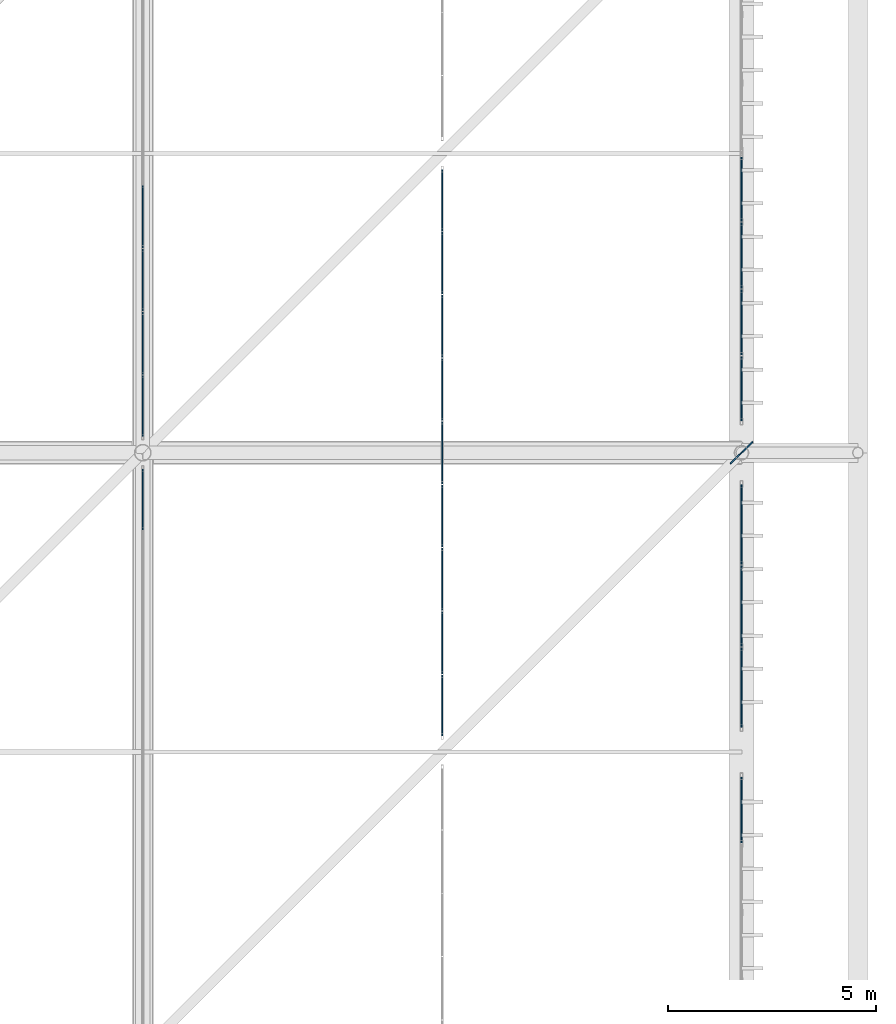
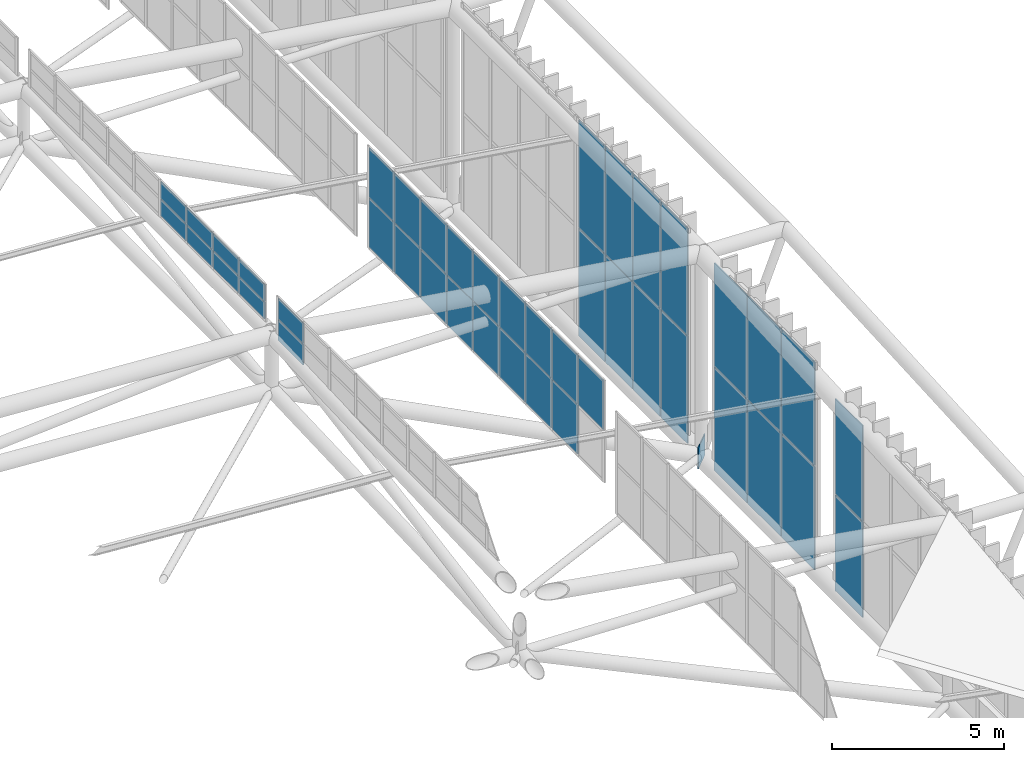
# One storey, part 370 of 397: 44 plates, 6 elements without a shape of their own.
"""IFC4 building model written with IfcOpenShell, lengths in metres."""

from ifc_helpers import new_model, si_unit, direction, frame, origin, origin_2d, place, context, subcontext, project, spatial, rectangle, extrude, material, layer, layer_set, type_object, element, aggregate, save


model = new_model("IFC4")

# Units and contexts
model_context = context("Model", 3, precision=1e-05, world=origin(), true_north=direction((0.0, 1.0)))
body_context = subcontext(model_context, "Body", "Model", "MODEL_VIEW")
ifc_project = project(units=[si_unit("LENGTHUNIT", "METRE"), si_unit("AREAUNIT", "SQUARE_METRE"), si_unit("VOLUMEUNIT", "CUBIC_METRE"), si_unit("PLANEANGLEUNIT", "RADIAN"), si_unit("MASSUNIT", "GRAM", prefix="KILO")], contexts=[model_context])

# Site, building, storey
site_placement = place(None, origin())
site = spatial("IfcSite", under=ifc_project, at=site_placement, CompositionType="ELEMENT")
building_placement = place(site_placement, origin())
building = spatial("IfcBuilding", under=site, at=building_placement, Name="Qandorah Velis Arena", CompositionType="ELEMENT")
storey_placement = place(building_placement, frame((0.0, 0.0, 27.5)))
storey = spatial("IfcBuildingStorey", under=building, at=storey_placement, Name="RF", CompositionType="ELEMENT", Elevation=27.5)

# Curtain wall, plates
ifc_material_1 = material(Name="Solar-control low-E double glazing", Category="glass")
curtain_wall_type_1 = type_object("IfcCurtainWallType", Name="ARC-CW-SYS15", PredefinedType="USERDEFINED", material=ifc_material_1)
curtain_wall_1_placement = place(storey_placement, origin())
curtain_wall_1 = element("IfcCurtainWall", 1, at=curtain_wall_1_placement, inside=storey, type_object=curtain_wall_type_1, Name="Unitised curtain wall MON-2-3", ObjectType="UNITISED CURTAIN WALL", PredefinedType="USERDEFINED")
ifc_layer_1 = layer(ifc_material_1, 0.030029296875)
ifc_layer_set_1 = layer_set([ifc_layer_1], Name="Solar-control low-E double glazing")
plate_type_1 = type_object("IfcPlateType", Name="ARC-CWP-GLZ30", PredefinedType="CURTAIN_PANEL", material=ifc_layer_set_1)
plate_1_placement = place(storey_placement, frame((108.0, 51.52490234375, 7.66259765625), z_axis=(0.0, 0.0, 1.0), x_axis=(0.0, 1.0, 0.0)))
plate_1 = element("IfcPlate", 2, at=plate_1_placement, type_object=plate_type_1, Name="CW15 panel 1.2", PredefinedType="CURTAIN_PANEL", context=body_context, shape_type="SweptSolid", body=[
    extrude(rectangle(XDim=1.459716796875, YDim=0.030029296875, at=origin_2d()), origin(), (0.0, 0.0, 1.0), 1.737548828125),
])
plate_2_placement = place(storey_placement, frame((108.0, 53.033447265625, 5.89013671875), z_axis=(0.0, 0.0, 1.0), x_axis=(0.0, 1.0, 0.0)))
plate_2 = element("IfcPlate", 3, at=plate_2_placement, type_object=plate_type_1, Name="CW15 panel 2.1", PredefinedType="CURTAIN_PANEL", context=body_context, shape_type="SweptSolid", body=[
    extrude(rectangle(XDim=1.4873046875, YDim=0.030029296875, at=origin_2d()), origin(), (0.0, 0.0, 1.0), 1.737548828125),
])
plate_3_placement = place(storey_placement, frame((108.0, 53.033447265625, 7.66259765625), z_axis=(0.0, 0.0, 1.0), x_axis=(0.0, 1.0, 0.0)))
plate_3 = element("IfcPlate", 4, at=plate_3_placement, type_object=plate_type_1, Name="CW15 panel 2.2", PredefinedType="CURTAIN_PANEL", context=body_context, shape_type="SweptSolid", body=[
    extrude(rectangle(XDim=1.4873046875, YDim=0.030029296875, at=origin_2d()), origin(), (0.0, 0.0, 1.0), 1.737548828125),
])
plate_4_placement = place(storey_placement, frame((108.0, 54.5556640625, 5.89013671875), z_axis=(0.0, 0.0, 1.0), x_axis=(0.0, 1.0, 0.0)))
plate_4 = element("IfcPlate", 5, at=plate_4_placement, type_object=plate_type_1, Name="CW15 panel 3.1", PredefinedType="CURTAIN_PANEL", context=body_context, shape_type="SweptSolid", body=[
    extrude(rectangle(XDim=1.4873046875, YDim=0.030029296875, at=origin_2d()), origin(), (0.0, 0.0, 1.0), 1.737548828125),
])
plate_5_placement = place(storey_placement, frame((108.0, 54.5556640625, 7.66259765625), z_axis=(0.0, 0.0, 1.0), x_axis=(0.0, 1.0, 0.0)))
plate_5 = element("IfcPlate", 6, at=plate_5_placement, type_object=plate_type_1, Name="CW15 panel 3.2", PredefinedType="CURTAIN_PANEL", context=body_context, shape_type="SweptSolid", body=[
    extrude(rectangle(XDim=1.4873046875, YDim=0.030029296875, at=origin_2d()), origin(), (0.0, 0.0, 1.0), 1.737548828125),
])
plate_6_placement = place(storey_placement, frame((108.0, 56.077880859375, 5.89013671875), z_axis=(0.0, 0.0, 1.0), x_axis=(0.0, 1.0, 0.0)))
plate_6 = element("IfcPlate", 7, at=plate_6_placement, type_object=plate_type_1, Name="CW15 panel 4.1", PredefinedType="CURTAIN_PANEL", context=body_context, shape_type="SweptSolid", body=[
    extrude(rectangle(XDim=1.4873046875, YDim=0.030029296875, at=origin_2d()), origin(), (0.0, 0.0, 1.0), 1.737548828125),
])
plate_7_placement = place(storey_placement, frame((108.0, 56.077880859375, 7.66259765625), z_axis=(0.0, 0.0, 1.0), x_axis=(0.0, 1.0, 0.0)))
plate_7 = element("IfcPlate", 8, at=plate_7_placement, type_object=plate_type_1, Name="CW15 panel 4.2", PredefinedType="CURTAIN_PANEL", context=body_context, shape_type="SweptSolid", body=[
    extrude(rectangle(XDim=1.4873046875, YDim=0.030029296875, at=origin_2d()), origin(), (0.0, 0.0, 1.0), 1.737548828125),
])
plate_8_placement = place(storey_placement, frame((108.0, 57.60009765625, 5.89013671875), z_axis=(0.0, 0.0, 1.0), x_axis=(0.0, 1.0, 0.0)))
plate_8 = element("IfcPlate", 9, at=plate_8_placement, type_object=plate_type_1, Name="CW15 panel 5.1", PredefinedType="CURTAIN_PANEL", context=body_context, shape_type="SweptSolid", body=[
    extrude(rectangle(XDim=1.4873046875, YDim=0.030029296875, at=origin_2d()), origin(), (0.0, 0.0, 1.0), 1.737548828125),
])
plate_9_placement = place(storey_placement, frame((108.0, 57.60009765625, 7.66259765625), z_axis=(0.0, 0.0, 1.0), x_axis=(0.0, 1.0, 0.0)))
plate_9 = element("IfcPlate", 10, at=plate_9_placement, type_object=plate_type_1, Name="CW15 panel 5.2", PredefinedType="CURTAIN_PANEL", context=body_context, shape_type="SweptSolid", body=[
    extrude(rectangle(XDim=1.4873046875, YDim=0.030029296875, at=origin_2d()), origin(), (0.0, 0.0, 1.0), 1.737548828125),
])
plate_10_placement = place(storey_placement, frame((108.0, 59.122314453125, 5.89013671875), z_axis=(0.0, 0.0, 1.0), x_axis=(0.0, 1.0, 0.0)))
plate_10 = element("IfcPlate", 11, at=plate_10_placement, type_object=plate_type_1, Name="CW15 panel 6.1", PredefinedType="CURTAIN_PANEL", context=body_context, shape_type="SweptSolid", body=[
    extrude(rectangle(XDim=1.4873046875, YDim=0.030029296875, at=origin_2d()), origin(), (0.0, 0.0, 1.0), 1.737548828125),
])
plate_11_placement = place(storey_placement, frame((108.0, 59.122314453125, 7.66259765625), z_axis=(0.0, 0.0, 1.0), x_axis=(0.0, 1.0, 0.0)))
plate_11 = element("IfcPlate", 12, at=plate_11_placement, type_object=plate_type_1, Name="CW15 panel 6.2", PredefinedType="CURTAIN_PANEL", context=body_context, shape_type="SweptSolid", body=[
    extrude(rectangle(XDim=1.4873046875, YDim=0.030029296875, at=origin_2d()), origin(), (0.0, 0.0, 1.0), 1.737548828125),
])
plate_12_placement = place(storey_placement, frame((108.0, 60.64453125, 5.89013671875), z_axis=(0.0, 0.0, 1.0), x_axis=(0.0, 1.0, 0.0)))
plate_12 = element("IfcPlate", 13, at=plate_12_placement, type_object=plate_type_1, Name="CW15 panel 7.1", PredefinedType="CURTAIN_PANEL", context=body_context, shape_type="SweptSolid", body=[
    extrude(rectangle(XDim=1.4873046875, YDim=0.030029296875, at=origin_2d()), origin(), (0.0, 0.0, 1.0), 1.737548828125),
])
plate_13_placement = place(storey_placement, frame((108.0, 60.64453125, 7.66259765625), z_axis=(0.0, 0.0, 1.0), x_axis=(0.0, 1.0, 0.0)))
plate_13 = element("IfcPlate", 14, at=plate_13_placement, type_object=plate_type_1, Name="CW15 panel 7.2", PredefinedType="CURTAIN_PANEL", context=body_context, shape_type="SweptSolid", body=[
    extrude(rectangle(XDim=1.4873046875, YDim=0.030029296875, at=origin_2d()), origin(), (0.0, 0.0, 1.0), 1.737548828125),
])
plate_14_placement = place(storey_placement, frame((108.0, 62.166748046875, 5.89013671875), z_axis=(0.0, 0.0, 1.0), x_axis=(0.0, 1.0, 0.0)))
plate_14 = element("IfcPlate", 15, at=plate_14_placement, type_object=plate_type_1, Name="CW15 panel 8.1", PredefinedType="CURTAIN_PANEL", context=body_context, shape_type="SweptSolid", body=[
    extrude(rectangle(XDim=1.4873046875, YDim=0.030029296875, at=origin_2d()), origin(), (0.0, 0.0, 1.0), 1.737548828125),
])
plate_15_placement = place(storey_placement, frame((108.0, 62.166748046875, 7.66259765625), z_axis=(0.0, 0.0, 1.0), x_axis=(0.0, 1.0, 0.0)))
plate_15 = element("IfcPlate", 16, at=plate_15_placement, type_object=plate_type_1, Name="CW15 panel 8.2", PredefinedType="CURTAIN_PANEL", context=body_context, shape_type="SweptSolid", body=[
    extrude(rectangle(XDim=1.4873046875, YDim=0.030029296875, at=origin_2d()), origin(), (0.0, 0.0, 1.0), 1.737548828125),
])
plate_16_placement = place(storey_placement, frame((108.0, 63.675048828125, 5.89013671875), z_axis=(0.0, 0.0, 1.0), x_axis=(0.0, 1.0, 0.0)))
plate_16 = element("IfcPlate", 17, at=plate_16_placement, type_object=plate_type_1, Name="CW15 panel 9.1", PredefinedType="CURTAIN_PANEL", context=body_context, shape_type="SweptSolid", body=[
    extrude(rectangle(XDim=1.459716796875, YDim=0.030029296875, at=origin_2d()), origin(), (0.0, 0.0, 1.0), 1.737548828125),
])
plate_17_placement = place(storey_placement, frame((108.0, 63.675048828125, 7.66259765625), z_axis=(0.0, 0.0, 1.0), x_axis=(0.0, 1.0, 0.0)))
plate_17 = element("IfcPlate", 18, at=plate_17_placement, type_object=plate_type_1, Name="CW15 panel 9.2", PredefinedType="CURTAIN_PANEL", context=body_context, shape_type="SweptSolid", body=[
    extrude(rectangle(XDim=1.459716796875, YDim=0.030029296875, at=origin_2d()), origin(), (0.0, 0.0, 1.0), 1.737548828125),
])
aggregate(curtain_wall_1, [plate_1, plate_2, plate_3, plate_4, plate_5, plate_6, plate_7, plate_8, plate_9, plate_10, plate_11, plate_12, plate_13, plate_14, plate_15, plate_16, plate_17])

curtain_wall_type_2 = type_object("IfcCurtainWallType", Name="ARC-CW-SYS12", PredefinedType="USERDEFINED", material=ifc_material_1)
curtain_wall_2_placement = place(storey_placement, origin())
curtain_wall_2 = element("IfcCurtainWall", 19, at=curtain_wall_2_placement, inside=storey, type_object=curtain_wall_type_2, Name="Unitised curtain wall OCULUS-2-2", ObjectType="UNITISED CURTAIN WALL", PredefinedType="USERDEFINED")
plate_18_placement = place(storey_placement, frame((100.800048828125, 56.47509765625, 9.47265625), z_axis=(0.0, 0.0, 1.0), x_axis=(0.0, 1.0, 0.0)))
plate_18 = element("IfcPlate", 20, at=plate_18_placement, type_object=plate_type_1, Name="CW12 panel 9.1", PredefinedType="CURTAIN_PANEL", context=body_context, shape_type="SweptSolid", body=[
    extrude(rectangle(XDim=1.459716796875, YDim=0.030029296875, at=origin_2d()), origin(), (0.0, 0.0, 1.0), 0.723876953125),
])
plate_19_placement = place(storey_placement, frame((100.800048828125, 56.47509765625, 10.2314453125), z_axis=(0.0, 0.0, 1.0), x_axis=(0.0, 1.0, 0.0)))
plate_19 = element("IfcPlate", 21, at=plate_19_placement, type_object=plate_type_1, Name="CW12 panel 9.2", PredefinedType="CURTAIN_PANEL", context=body_context, shape_type="SweptSolid", body=[
    extrude(rectangle(XDim=1.459716796875, YDim=0.030029296875, at=origin_2d()), origin(), (0.0, 0.0, 1.0), 0.7236328125),
])
aggregate(curtain_wall_2, [plate_18, plate_19])

curtain_wall_type_3 = type_object("IfcCurtainWallType", Name="ARC-CW-SYS13", PredefinedType="USERDEFINED", material=ifc_material_1)
curtain_wall_3_placement = place(storey_placement, origin())
curtain_wall_3 = element("IfcCurtainWall", 22, at=curtain_wall_3_placement, inside=storey, type_object=curtain_wall_type_3, Name="Unitised curtain wall OCULUS-2-3", ObjectType="UNITISED CURTAIN WALL", PredefinedType="USERDEFINED")
plate_20_placement = place(storey_placement, frame((100.800048828125, 58.724853515625, 9.744140625), z_axis=(0.0, 0.0, 1.0), x_axis=(0.0, 1.0, 0.0)))
plate_20 = element("IfcPlate", 23, at=plate_20_placement, type_object=plate_type_1, Name="CW13 panel 1.1", PredefinedType="CURTAIN_PANEL", context=body_context, shape_type="SweptSolid", body=[
    extrude(rectangle(XDim=1.459716796875, YDim=0.030029296875, at=origin_2d()), origin(), (0.0, 0.0, 1.0), 0.587890625),
])
plate_21_placement = place(storey_placement, frame((100.800048828125, 58.724853515625, 10.366943359375), z_axis=(0.0, 0.0, 1.0), x_axis=(0.0, 1.0, 0.0)))
plate_21 = element("IfcPlate", 24, at=plate_21_placement, type_object=plate_type_1, Name="CW13 panel 1.2", PredefinedType="CURTAIN_PANEL", context=body_context, shape_type="SweptSolid", body=[
    extrude(rectangle(XDim=1.459716796875, YDim=0.030029296875, at=origin_2d()), origin(), (0.0, 0.0, 1.0), 0.587890625),
])
plate_22_placement = place(storey_placement, frame((100.800048828125, 60.2333984375, 9.744140625), z_axis=(0.0, 0.0, 1.0), x_axis=(0.0, 1.0, 0.0)))
plate_22 = element("IfcPlate", 25, at=plate_22_placement, type_object=plate_type_1, Name="CW13 panel 2.1", PredefinedType="CURTAIN_PANEL", context=body_context, shape_type="SweptSolid", body=[
    extrude(rectangle(XDim=1.4873046875, YDim=0.030029296875, at=origin_2d()), origin(), (0.0, 0.0, 1.0), 0.587890625),
])
plate_23_placement = place(storey_placement, frame((100.800048828125, 60.2333984375, 10.366943359375), z_axis=(0.0, 0.0, 1.0), x_axis=(0.0, 1.0, 0.0)))
plate_23 = element("IfcPlate", 26, at=plate_23_placement, type_object=plate_type_1, Name="CW13 panel 2.2", PredefinedType="CURTAIN_PANEL", context=body_context, shape_type="SweptSolid", body=[
    extrude(rectangle(XDim=1.4873046875, YDim=0.030029296875, at=origin_2d()), origin(), (0.0, 0.0, 1.0), 0.587890625),
])
plate_24_placement = place(storey_placement, frame((100.800048828125, 61.755615234375, 9.744140625), z_axis=(0.0, 0.0, 1.0), x_axis=(0.0, 1.0, 0.0)))
plate_24 = element("IfcPlate", 27, at=plate_24_placement, type_object=plate_type_1, Name="CW13 panel 3.1", PredefinedType="CURTAIN_PANEL", context=body_context, shape_type="SweptSolid", body=[
    extrude(rectangle(XDim=1.4873046875, YDim=0.030029296875, at=origin_2d()), origin(), (0.0, 0.0, 1.0), 0.587890625),
])
plate_25_placement = place(storey_placement, frame((100.800048828125, 61.755615234375, 10.366943359375), z_axis=(0.0, 0.0, 1.0), x_axis=(0.0, 1.0, 0.0)))
plate_25 = element("IfcPlate", 28, at=plate_25_placement, type_object=plate_type_1, Name="CW13 panel 3.2", PredefinedType="CURTAIN_PANEL", context=body_context, shape_type="SweptSolid", body=[
    extrude(rectangle(XDim=1.4873046875, YDim=0.030029296875, at=origin_2d()), origin(), (0.0, 0.0, 1.0), 0.587890625),
])
plate_26_placement = place(storey_placement, frame((100.800048828125, 63.27783203125, 9.744140625), z_axis=(0.0, 0.0, 1.0), x_axis=(0.0, 1.0, 0.0)))
plate_26 = element("IfcPlate", 29, at=plate_26_placement, type_object=plate_type_1, Name="CW13 panel 4.1", PredefinedType="CURTAIN_PANEL", context=body_context, shape_type="SweptSolid", body=[
    extrude(rectangle(XDim=1.4873046875, YDim=0.030029296875, at=origin_2d()), origin(), (0.0, 0.0, 1.0), 0.587890625),
])
plate_27_placement = place(storey_placement, frame((100.800048828125, 63.27783203125, 10.366943359375), z_axis=(0.0, 0.0, 1.0), x_axis=(0.0, 1.0, 0.0)))
plate_27 = element("IfcPlate", 30, at=plate_27_placement, type_object=plate_type_1, Name="CW13 panel 4.2", PredefinedType="CURTAIN_PANEL", context=body_context, shape_type="SweptSolid", body=[
    extrude(rectangle(XDim=1.4873046875, YDim=0.030029296875, at=origin_2d()), origin(), (0.0, 0.0, 1.0), 0.587890625),
])
aggregate(curtain_wall_3, [plate_20, plate_21, plate_22, plate_23, plate_24, plate_25, plate_26, plate_27])

curtain_wall_4_placement = place(storey_placement, origin())
curtain_wall_4 = element("IfcCurtainWall", 31, at=curtain_wall_4_placement, inside=storey, type_object=curtain_wall_type_2, Name="Unitised curtain wall CROWN-2-03S2", ObjectType="UNITISED CURTAIN WALL", PredefinedType="USERDEFINED")
ifc_layer_2 = layer(ifc_material_1, 0.035888671875)
ifc_layer_set_2 = layer_set([ifc_layer_2], Name="Solar-control low-E double glazing")
plate_type_2 = type_object("IfcPlateType", Name="ARC-CWP-GLZ36", PredefinedType="CURTAIN_PANEL", material=ifc_layer_set_2)
plate_28_placement = place(storey_placement, frame((115.199951171875, 49.0087890625, 0.050048828125), z_axis=(0.0, 0.0, 1.0), x_axis=(0.0, 1.0, 0.0)))
plate_28 = element("IfcPlate", 32, at=plate_28_placement, type_object=plate_type_2, Name="CW12 panel 4.1", PredefinedType="CURTAIN_PANEL", context=body_context, shape_type="SweptSolid", body=[
    extrude(rectangle(XDim=1.58251953125, YDim=0.035888671875, at=origin_2d()), origin(), (0.0, 0.0, 1.0), 3.380859375),
])
plate_29_placement = place(storey_placement, frame((115.199951171875, 49.0087890625, 3.470703125), z_axis=(0.0, 0.0, 1.0), x_axis=(0.0, 1.0, 0.0)))
plate_29 = element("IfcPlate", 33, at=plate_29_placement, type_object=plate_type_2, Name="CW12 panel 4.2", PredefinedType="CURTAIN_PANEL", context=body_context, shape_type="SweptSolid", body=[
    extrude(rectangle(XDim=1.58251953125, YDim=0.035888671875, at=origin_2d()), origin(), (0.0, 0.0, 1.0), 3.381103515625),
])
aggregate(curtain_wall_4, [plate_28, plate_29])

curtain_wall_5_placement = place(storey_placement, origin())
curtain_wall_5 = element("IfcCurtainWall", 34, at=curtain_wall_5_placement, inside=storey, type_object=curtain_wall_type_2, Name="Unitised curtain wall CROWN-2-04S1", ObjectType="UNITISED CURTAIN WALL", PredefinedType="USERDEFINED")
plate_30_placement = place(storey_placement, frame((115.199951171875, 51.952392578125, 0.050048828125), z_axis=(0.0, 0.0, 1.0), x_axis=(0.0, 1.0, 0.0)))
plate_30 = element("IfcPlate", 35, at=plate_30_placement, type_object=plate_type_2, Name="CW12 panel 1.1", PredefinedType="CURTAIN_PANEL", context=body_context, shape_type="SweptSolid", body=[
    extrude(rectangle(XDim=1.905029296875, YDim=0.035888671875, at=origin_2d()), origin(), (0.0, 0.0, 1.0), 3.6552734375),
])
plate_31_placement = place(storey_placement, frame((115.199951171875, 51.952392578125, 3.7451171875), z_axis=(0.0, 0.0, 1.0), x_axis=(0.0, 1.0, 0.0)))
plate_31 = element("IfcPlate", 36, at=plate_31_placement, type_object=plate_type_2, Name="CW12 panel 1.2", PredefinedType="CURTAIN_PANEL", context=body_context, shape_type="SweptSolid", body=[
    extrude(rectangle(XDim=1.905029296875, YDim=0.035888671875, at=origin_2d()), origin(), (0.0, 0.0, 1.0), 3.655517578125),
])
plate_32_placement = place(storey_placement, frame((115.199951171875, 53.91259765625, 0.050048828125), z_axis=(0.0, 0.0, 1.0), x_axis=(0.0, 1.0, 0.0)))
plate_32 = element("IfcPlate", 37, at=plate_32_placement, type_object=plate_type_2, Name="CW12 panel 2.1", PredefinedType="CURTAIN_PANEL", context=body_context, shape_type="SweptSolid", body=[
    extrude(rectangle(XDim=1.93505859375, YDim=0.035888671875, at=origin_2d()), origin(), (0.0, 0.0, 1.0), 3.6552734375),
])
plate_33_placement = place(storey_placement, frame((115.199951171875, 53.91259765625, 3.7451171875), z_axis=(0.0, 0.0, 1.0), x_axis=(0.0, 1.0, 0.0)))
plate_33 = element("IfcPlate", 38, at=plate_33_placement, type_object=plate_type_2, Name="CW12 panel 2.2", PredefinedType="CURTAIN_PANEL", context=body_context, shape_type="SweptSolid", body=[
    extrude(rectangle(XDim=1.93505859375, YDim=0.035888671875, at=origin_2d()), origin(), (0.0, 0.0, 1.0), 3.655517578125),
])
plate_34_placement = place(storey_placement, frame((115.199951171875, 55.87255859375, 0.050048828125), z_axis=(0.0, 0.0, 1.0), x_axis=(0.0, 1.0, 0.0)))
plate_34 = element("IfcPlate", 39, at=plate_34_placement, type_object=plate_type_2, Name="CW12 panel 3.1", PredefinedType="CURTAIN_PANEL", context=body_context, shape_type="SweptSolid", body=[
    extrude(rectangle(XDim=1.905029296875, YDim=0.035888671875, at=origin_2d()), origin(), (0.0, 0.0, 1.0), 3.6552734375),
])
plate_35_placement = place(storey_placement, frame((115.199951171875, 55.87255859375, 3.7451171875), z_axis=(0.0, 0.0, 1.0), x_axis=(0.0, 1.0, 0.0)))
plate_35 = element("IfcPlate", 40, at=plate_35_placement, type_object=plate_type_2, Name="CW12 panel 3.2", PredefinedType="CURTAIN_PANEL", context=body_context, shape_type="SweptSolid", body=[
    extrude(rectangle(XDim=1.905029296875, YDim=0.035888671875, at=origin_2d()), origin(), (0.0, 0.0, 1.0), 3.655517578125),
])
aggregate(curtain_wall_5, [plate_30, plate_31, plate_32, plate_33, plate_34, plate_35])

curtain_wall_6_placement = place(storey_placement, origin())
curtain_wall_6 = element("IfcCurtainWall", 41, at=curtain_wall_6_placement, inside=storey, type_object=curtain_wall_type_3, Name="Unitised curtain wall CROWN-2-05S1", ObjectType="UNITISED CURTAIN WALL", PredefinedType="USERDEFINED")
plate_36_placement = place(storey_placement, frame((115.199951171875, 59.144287109375, 0.0498046875), z_axis=(0.0, 0.0, 1.0), x_axis=(0.0, 1.0, 0.0)))
plate_36 = element("IfcPlate", 42, at=plate_36_placement, type_object=plate_type_2, Name="CW13 panel 1.1", PredefinedType="CURTAIN_PANEL", context=body_context, shape_type="SweptSolid", body=[
    extrude(rectangle(XDim=1.538818359375, YDim=0.035888671875, at=origin_2d()), origin(), (0.0, 0.0, 1.0), 3.797607421875),
])
plate_37_placement = place(storey_placement, frame((115.199951171875, 59.144287109375, 3.8876953125), z_axis=(0.0, 0.0, 1.0), x_axis=(0.0, 1.0, 0.0)))
plate_37 = element("IfcPlate", 43, at=plate_37_placement, type_object=plate_type_2, Name="CW13 panel 1.2", PredefinedType="CURTAIN_PANEL", context=body_context, shape_type="SweptSolid", body=[
    extrude(rectangle(XDim=1.538818359375, YDim=0.035888671875, at=origin_2d()), origin(), (0.0, 0.0, 1.0), 3.797607421875),
])
plate_38_placement = place(storey_placement, frame((115.199951171875, 60.738037109375, 0.0498046875), z_axis=(0.0, 0.0, 1.0), x_axis=(0.0, 1.0, 0.0)))
plate_38 = element("IfcPlate", 44, at=plate_38_placement, type_object=plate_type_2, Name="CW13 panel 2.1", PredefinedType="CURTAIN_PANEL", context=body_context, shape_type="SweptSolid", body=[
    extrude(rectangle(XDim=1.56884765625, YDim=0.035888671875, at=origin_2d()), origin(), (0.0, 0.0, 1.0), 3.797607421875),
])
plate_39_placement = place(storey_placement, frame((115.199951171875, 60.738037109375, 3.8876953125), z_axis=(0.0, 0.0, 1.0), x_axis=(0.0, 1.0, 0.0)))
plate_39 = element("IfcPlate", 45, at=plate_39_placement, type_object=plate_type_2, Name="CW13 panel 2.2", PredefinedType="CURTAIN_PANEL", context=body_context, shape_type="SweptSolid", body=[
    extrude(rectangle(XDim=1.56884765625, YDim=0.035888671875, at=origin_2d()), origin(), (0.0, 0.0, 1.0), 3.797607421875),
])
plate_40_placement = place(storey_placement, frame((115.199951171875, 62.346923828125, 0.0498046875), z_axis=(0.0, 0.0, 1.0), x_axis=(0.0, 1.0, 0.0)))
plate_40 = element("IfcPlate", 46, at=plate_40_placement, type_object=plate_type_2, Name="CW13 panel 3.1", PredefinedType="CURTAIN_PANEL", context=body_context, shape_type="SweptSolid", body=[
    extrude(rectangle(XDim=1.56884765625, YDim=0.035888671875, at=origin_2d()), origin(), (0.0, 0.0, 1.0), 3.797607421875),
])
plate_41_placement = place(storey_placement, frame((115.199951171875, 62.346923828125, 3.8876953125), z_axis=(0.0, 0.0, 1.0), x_axis=(0.0, 1.0, 0.0)))
plate_41 = element("IfcPlate", 47, at=plate_41_placement, type_object=plate_type_2, Name="CW13 panel 3.2", PredefinedType="CURTAIN_PANEL", context=body_context, shape_type="SweptSolid", body=[
    extrude(rectangle(XDim=1.56884765625, YDim=0.035888671875, at=origin_2d()), origin(), (0.0, 0.0, 1.0), 3.797607421875),
])
plate_42_placement = place(storey_placement, frame((115.199951171875, 63.940673828125, 0.0498046875), z_axis=(0.0, 0.0, 1.0), x_axis=(0.0, 1.0, 0.0)))
plate_42 = element("IfcPlate", 48, at=plate_42_placement, type_object=plate_type_2, Name="CW13 panel 4.1", PredefinedType="CURTAIN_PANEL", context=body_context, shape_type="SweptSolid", body=[
    extrude(rectangle(XDim=1.538818359375, YDim=0.035888671875, at=origin_2d()), origin(), (0.0, 0.0, 1.0), 3.797607421875),
])
plate_43_placement = place(storey_placement, frame((115.199951171875, 63.940673828125, 3.8876953125), z_axis=(0.0, 0.0, 1.0), x_axis=(0.0, 1.0, 0.0)))
plate_43 = element("IfcPlate", 49, at=plate_43_placement, type_object=plate_type_2, Name="CW13 panel 4.2", PredefinedType="CURTAIN_PANEL", context=body_context, shape_type="SweptSolid", body=[
    extrude(rectangle(XDim=1.538818359375, YDim=0.035888671875, at=origin_2d()), origin(), (0.0, 0.0, 1.0), 3.797607421875),
])
aggregate(curtain_wall_6, [plate_36, plate_37, plate_38, plate_39, plate_40, plate_41, plate_42, plate_43])

# Plate
ifc_material_2 = material(Name="Steel S355", Category="steel")
ifc_layer_3 = layer(ifc_material_2, 0.031982421875)
ifc_layer_set_3 = layer_set([ifc_layer_3], Name="Steel S355")
plate_type_3 = type_object("IfcPlateType", Name="STR-PLT-GUS32", PredefinedType="SHEET", material=ifc_layer_set_3)
plate_44_placement = place(storey_placement, frame((115.199951171875, 57.60009765625, -0.125), z_axis=(0.0, 0.0, 1.0), x_axis=(0.707106781187, 0.707106781187, 0.0)))
element("IfcPlate", 50, at=plate_44_placement, inside=storey, type_object=plate_type_3, Name="Space frame gusset plate 7.3", PredefinedType="SHEET", context=body_context, shape_type="SweptSolid", body=[
    extrude(rectangle(XDim=0.75, YDim=0.031982421875, at=origin_2d()), origin(), (0.0, 0.0, 1.0), 0.75),
])

save(model, "model.ifc")
